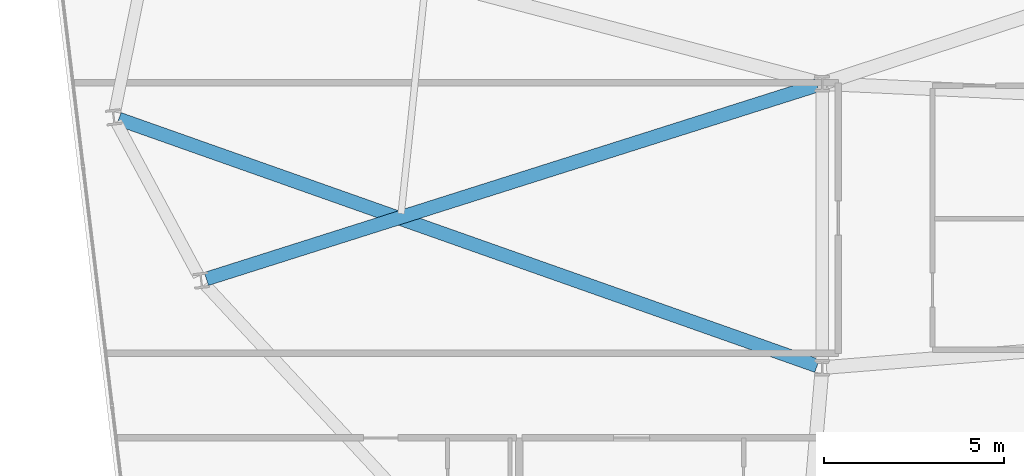
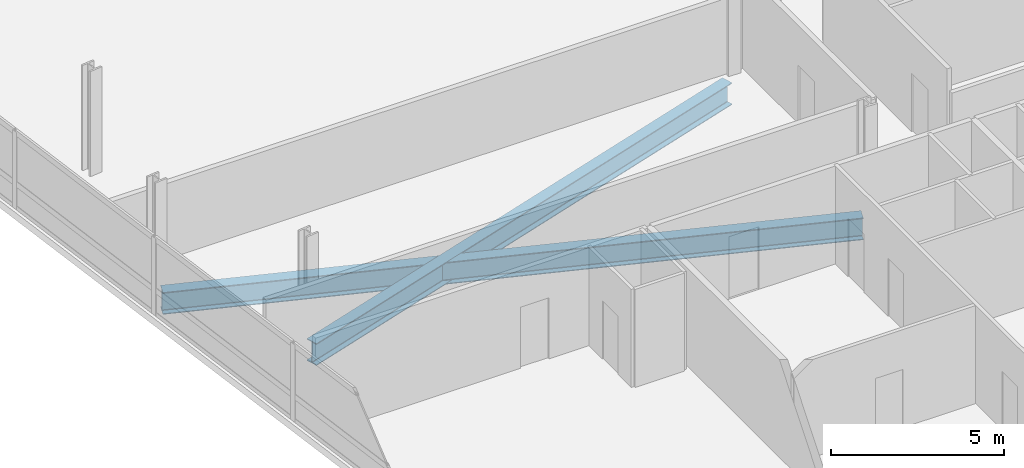
# One storey, part 5 of 23: 2 beams.
"""IFC4 building model written with IfcOpenShell, lengths in metres."""

from ifc_helpers import new_model, si_unit, direction, frame, origin, origin_2d, place, context, subcontext, project, spatial, i_section, extrude, material, material_profile, profile_set, type_object, element, save


model = new_model("IFC4")

# Units and contexts
model_context = context("Model", 3, precision=1e-05, world=origin(), true_north=direction((0.0, 1.0)))
body_context = subcontext(model_context, "Body", "Model", "MODEL_VIEW")
ifc_project = project(units=[si_unit("LENGTHUNIT", "METRE"), si_unit("AREAUNIT", "SQUARE_METRE"), si_unit("VOLUMEUNIT", "CUBIC_METRE"), si_unit("PLANEANGLEUNIT", "RADIAN"), si_unit("MASSUNIT", "GRAM", prefix="KILO")], contexts=[model_context])

# Site, building, storey
site_placement = place(None, origin())
site = spatial("IfcSite", under=ifc_project, at=site_placement, CompositionType="ELEMENT")
building_placement = place(site_placement, origin())
building = spatial("IfcBuilding", under=site, at=building_placement, Name="Varnelok Gate Tower", CompositionType="ELEMENT")
storey_placement = place(building_placement, frame((0.0, 0.0, 174.60009765625)))
storey = spatial("IfcBuildingStorey", under=building, at=storey_placement, Name="L44", CompositionType="ELEMENT", Elevation=174.60009765625)

# Beams
ifc_material = material(Name="Structural Steel ASTM A992 Grade 50", Category="steel")
ifc_material_profile = material_profile(ifc_material, i_section(OverallWidth=0.381103515625, OverallDepth=0.77294921875, WebThickness=0.0166015625, FlangeThickness=0.027099609375, FilletRadius=0.02197265625, at=origin_2d()), Name="W30X173")
ifc_profile_set = profile_set([ifc_material_profile], Name="Structural Steel ASTM A992 Grade 50")
beam_type = type_object("IfcBeamType", Name="BM-PRI-W30X173", PredefinedType="BEAM", material=ifc_profile_set)
beam_1_placement = place(storey_placement, frame((24.258544921875, 18.85009765625, -0.63671875), z_axis=(-0.942837769657, 0.333252066923, 0.0), x_axis=(-0.333252066923, -0.942837769657, 0.0)))
element("IfcBeam", 1, at=beam_1_placement, inside=storey, type_object=beam_type, Name="L44 Radial Floor Girder 15", PredefinedType="BEAM", context=body_context, shape_type="SweptSolid", body=[
    extrude(i_section(OverallWidth=0.381103515625, OverallDepth=0.77294921875, WebThickness=0.0166015625, FlangeThickness=0.027099609375, FilletRadius=0.02197265625, at=origin_2d()), origin(), (0.0, 0.0, 1.0), 20.5458984375),
])
beam_2_placement = place(storey_placement, frame((24.257080078125, 26.634521484375, -0.63671875), z_axis=(-0.953202154823, -0.302333676657, 0.0), x_axis=(0.302333676657, -0.953202154823, 0.0)))
element("IfcBeam", 2, at=beam_2_placement, inside=storey, type_object=beam_type, Name="L44 Radial Floor Girder 16", PredefinedType="BEAM", context=body_context, shape_type="SweptSolid", body=[
    extrude(i_section(OverallWidth=0.381103515625, OverallDepth=0.77294921875, WebThickness=0.0166015625, FlangeThickness=0.027099609375, FilletRadius=0.02197265625, at=origin_2d()), origin(), (0.0, 0.0, 1.0), 17.77099609375),
])

save(model, "model.ifc")
